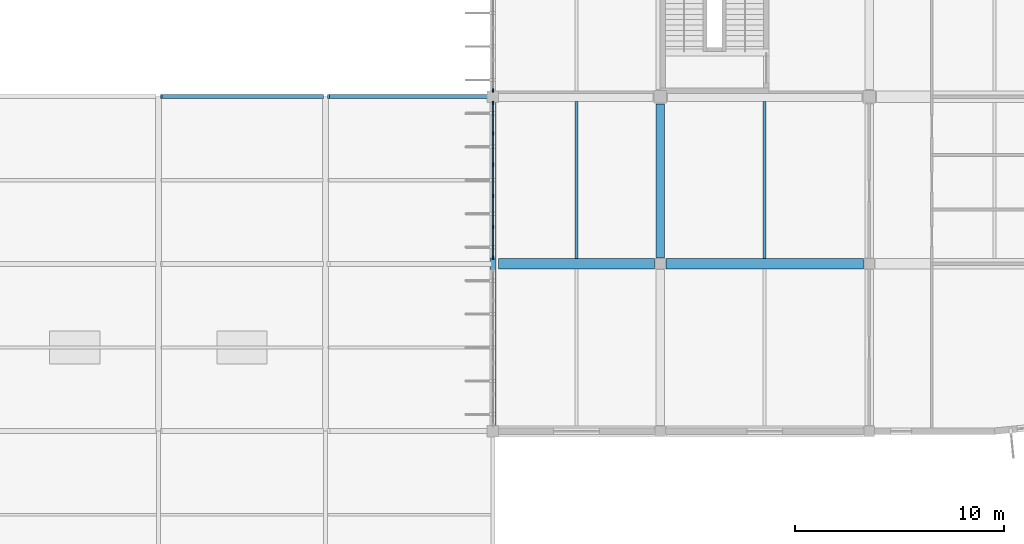
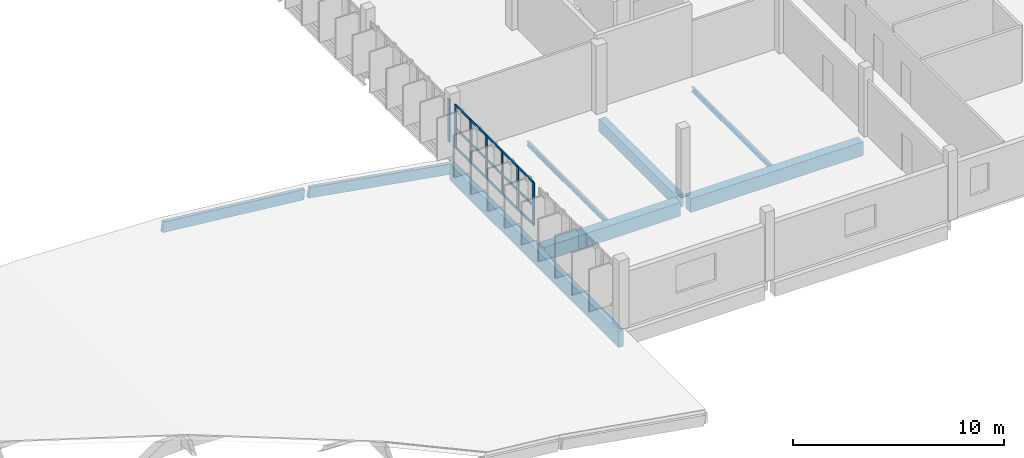
# One storey, part 26 of 66: 22 members, 8 beams, 2 elements without a shape of their own.
"""IFC4 building model written with IfcOpenShell, lengths in metres."""

from ifc_helpers import new_model, si_unit, direction, frame, origin, origin_2d, place, context, subcontext, project, spatial, rectangle, i_section, extrude, material, layer, layer_set, material_profile, profile_set, type_object, element, aggregate, save


model = new_model("IFC4")

# Units and contexts
model_context = context("Model", 3, precision=1e-05, world=origin(), true_north=direction((0.0, 1.0)))
body_context = subcontext(model_context, "Body", "Model", "MODEL_VIEW")
ifc_project = project(units=[si_unit("LENGTHUNIT", "METRE"), si_unit("AREAUNIT", "SQUARE_METRE"), si_unit("VOLUMEUNIT", "CUBIC_METRE"), si_unit("PLANEANGLEUNIT", "RADIAN"), si_unit("MASSUNIT", "GRAM", prefix="KILO")], contexts=[model_context])

# Site, building, storey
site_placement = place(None, origin())
site = spatial("IfcSite", under=ifc_project, at=site_placement, CompositionType="ELEMENT")
building_placement = place(site_placement, origin())
building = spatial("IfcBuilding", under=site, at=building_placement, Name="Drelvana Railside Aquatics Centre", CompositionType="ELEMENT")
storey_placement = place(building_placement, frame((0.0, 0.0, 10.199951171875)))
storey = spatial("IfcBuildingStorey", under=building, at=storey_placement, Name="L02", CompositionType="ELEMENT", Elevation=10.199951171875)

# Curtain wall, members
ifc_material_1 = material(Name="Bronze-anodised aluminium curtain wall", Category="aluminium")
ifc_layer = layer(ifc_material_1, 0.175048828125, Name="Bronze-anodised aluminium curtain wall")
ifc_layer_set = layer_set([ifc_layer], Name="Bronze-anodised aluminium curtain wall")
curtain_wall_type = type_object("IfcCurtainWallType", Name="CW-Z6-WING", PredefinedType="NOTDEFINED", material=ifc_layer_set)
curtain_wall_1_placement = place(storey_placement, origin())
curtain_wall_1 = element("IfcCurtainWall", 1, at=curtain_wall_1_placement, inside=storey, type_object=curtain_wall_type, Name="Curtain wall CW-06-136", PredefinedType="NOTDEFINED")
ifc_material_2 = material(Name="Bronze-anodised aluminium 6063-T6", Category="aluminium")
ifc_material_profile_1 = material_profile(ifc_material_2, rectangle(XDim=0.06494140625, YDim=0.175048828125, at=origin_2d()), Name="ALU-M 65x175")
ifc_profile_set_1 = profile_set([ifc_material_profile_1], Name="Bronze-anodised aluminium 6063-T6")
member_type_1 = type_object("IfcMemberType", Name="CW-Z6-WING-MUL", PredefinedType="MULLION", material=ifc_profile_set_1)
member_1_placement = place(storey_placement, frame((144.0, 16.301513671875, 0.7939453125), z_axis=(0.0, 0.0, 1.0), x_axis=(-1.0, 0.0, 0.0)))
member_1 = element("IfcMember", 2, at=member_1_placement, type_object=member_type_1, Name="CW-06 mullion 1", PredefinedType="MULLION", context=body_context, shape_type="SweptSolid", body=[
    extrude(rectangle(XDim=0.06494140625, YDim=0.175048828125, at=origin_2d()), origin(), (0.0, 0.0, 1.0), 2.506103515625),
])
member_2_placement = place(storey_placement, frame((144.0, 17.761474609375, 0.7939453125), z_axis=(0.0, 0.0, 1.0), x_axis=(-1.0, 0.0, 0.0)))
member_2 = element("IfcMember", 3, at=member_2_placement, type_object=member_type_1, Name="CW-06 mullion 2", PredefinedType="MULLION", context=body_context, shape_type="SweptSolid", body=[
    extrude(rectangle(XDim=0.06494140625, YDim=0.175048828125, at=origin_2d()), origin(), (0.0, 0.0, 1.0), 2.506103515625),
])
member_3_placement = place(storey_placement, frame((144.0, 19.25390625, 0.7939453125), z_axis=(0.0, 0.0, 1.0), x_axis=(-1.0, 0.0, 0.0)))
member_3 = element("IfcMember", 4, at=member_3_placement, type_object=member_type_1, Name="CW-06 mullion 3", PredefinedType="MULLION", context=body_context, shape_type="SweptSolid", body=[
    extrude(rectangle(XDim=0.06494140625, YDim=0.175048828125, at=origin_2d()), origin(), (0.0, 0.0, 1.0), 2.506103515625),
])
member_4_placement = place(storey_placement, frame((144.0, 20.74609375, 0.7939453125), z_axis=(0.0, 0.0, 1.0), x_axis=(-1.0, 0.0, 0.0)))
member_4 = element("IfcMember", 5, at=member_4_placement, type_object=member_type_1, Name="CW-06 mullion 4", PredefinedType="MULLION", context=body_context, shape_type="SweptSolid", body=[
    extrude(rectangle(XDim=0.06494140625, YDim=0.175048828125, at=origin_2d()), origin(), (0.0, 0.0, 1.0), 2.506103515625),
])
member_5_placement = place(storey_placement, frame((144.0, 22.238525390625, 0.7939453125), z_axis=(0.0, 0.0, 1.0), x_axis=(-1.0, 0.0, 0.0)))
member_5 = element("IfcMember", 6, at=member_5_placement, type_object=member_type_1, Name="CW-06 mullion 5", PredefinedType="MULLION", context=body_context, shape_type="SweptSolid", body=[
    extrude(rectangle(XDim=0.06494140625, YDim=0.175048828125, at=origin_2d()), origin(), (0.0, 0.0, 1.0), 2.506103515625),
])
member_6_placement = place(storey_placement, frame((144.0, 23.698486328125, 0.7939453125), z_axis=(0.0, 0.0, 1.0), x_axis=(-1.0, 0.0, 0.0)))
member_6 = element("IfcMember", 7, at=member_6_placement, type_object=member_type_1, Name="CW-06 mullion 6", PredefinedType="MULLION", context=body_context, shape_type="SweptSolid", body=[
    extrude(rectangle(XDim=0.06494140625, YDim=0.175048828125, at=origin_2d()), origin(), (0.0, 0.0, 1.0), 2.506103515625),
])

# Curtain wall, member
curtain_wall_2_placement = place(storey_placement, origin())
curtain_wall_2 = element("IfcCurtainWall", 8, at=curtain_wall_2_placement, inside=storey, type_object=curtain_wall_type, Name="Curtain wall CW-06-138", PredefinedType="NOTDEFINED")
member_7_placement = place(storey_placement, frame((144.0, 24.301513671875, 0.7939453125), z_axis=(0.0, 0.0, 1.0), x_axis=(-1.0, 0.0, 0.0)))
member_7 = element("IfcMember", 9, at=member_7_placement, type_object=member_type_1, Name="CW-06 mullion 1", PredefinedType="MULLION", context=body_context, shape_type="SweptSolid", body=[
    extrude(rectangle(XDim=0.06494140625, YDim=0.175048828125, at=origin_2d()), origin(), (0.0, 0.0, 1.0), 2.4560546875),
])
aggregate(curtain_wall_2, [member_7])

# Member
ifc_material_profile_2 = material_profile(ifc_material_2, rectangle(XDim=0.1201171875, YDim=0.06005859375, at=origin_2d()), Name="ALU-T 60x120")
ifc_profile_set_2 = profile_set([ifc_material_profile_2], Name="Bronze-anodised aluminium 6063-T6")
member_type_2 = type_object("IfcMemberType", Name="CW-Z6-WING-TRN", PredefinedType="USERDEFINED", material=ifc_profile_set_2)
member_8_placement = place(storey_placement, frame((144.0, 16.3291015625, 0.823974609375), z_axis=(0.0, 1.0, 0.0), x_axis=(0.0, 0.0, 1.0)))
member_8 = element("IfcMember", 10, at=member_8_placement, type_object=member_type_2, Name="CW-06 transom 1.1", ObjectType="TRANSOM", PredefinedType="USERDEFINED", context=body_context, shape_type="SweptSolid", body=[
    extrude(rectangle(XDim=0.1201171875, YDim=0.06005859375, at=origin_2d()), origin(), (0.0, 0.0, 1.0), 1.40478515625),
])

member_9_placement = place(storey_placement, frame((144.0, 16.3291015625, 1.922119140625), z_axis=(0.0, 1.0, 0.0), x_axis=(0.0, 0.0, 1.0)))
member_9 = element("IfcMember", 11, at=member_9_placement, type_object=member_type_2, Name="CW-06 transom 1.2", ObjectType="TRANSOM", PredefinedType="USERDEFINED", context=body_context, shape_type="SweptSolid", body=[
    extrude(rectangle(XDim=0.1201171875, YDim=0.06005859375, at=origin_2d()), origin(), (0.0, 0.0, 1.0), 1.40478515625),
])

member_10_placement = place(storey_placement, frame((144.0, 16.3291015625, 3.27001953125), z_axis=(0.0, 1.0, 0.0), x_axis=(0.0, 0.0, 1.0)))
member_10 = element("IfcMember", 12, at=member_10_placement, type_object=member_type_2, Name="CW-06 transom 1.3", ObjectType="TRANSOM", PredefinedType="USERDEFINED", context=body_context, shape_type="SweptSolid", body=[
    extrude(rectangle(XDim=0.1201171875, YDim=0.06005859375, at=origin_2d()), origin(), (0.0, 0.0, 1.0), 1.40478515625),
])

member_11_placement = place(storey_placement, frame((144.0, 17.788818359375, 0.823974609375), z_axis=(0.0, 1.0, 0.0), x_axis=(0.0, 0.0, 1.0)))
member_11 = element("IfcMember", 13, at=member_11_placement, type_object=member_type_2, Name="CW-06 transom 2.1", ObjectType="TRANSOM", PredefinedType="USERDEFINED", context=body_context, shape_type="SweptSolid", body=[
    extrude(rectangle(XDim=0.1201171875, YDim=0.06005859375, at=origin_2d()), origin(), (0.0, 0.0, 1.0), 1.4375),
])

member_12_placement = place(storey_placement, frame((144.0, 17.788818359375, 1.922119140625), z_axis=(0.0, 1.0, 0.0), x_axis=(0.0, 0.0, 1.0)))
member_12 = element("IfcMember", 14, at=member_12_placement, type_object=member_type_2, Name="CW-06 transom 2.2", ObjectType="TRANSOM", PredefinedType="USERDEFINED", context=body_context, shape_type="SweptSolid", body=[
    extrude(rectangle(XDim=0.1201171875, YDim=0.06005859375, at=origin_2d()), origin(), (0.0, 0.0, 1.0), 1.4375),
])

member_13_placement = place(storey_placement, frame((144.0, 17.788818359375, 3.27001953125), z_axis=(0.0, 1.0, 0.0), x_axis=(0.0, 0.0, 1.0)))
member_13 = element("IfcMember", 15, at=member_13_placement, type_object=member_type_2, Name="CW-06 transom 2.3", ObjectType="TRANSOM", PredefinedType="USERDEFINED", context=body_context, shape_type="SweptSolid", body=[
    extrude(rectangle(XDim=0.1201171875, YDim=0.06005859375, at=origin_2d()), origin(), (0.0, 0.0, 1.0), 1.4375),
])

member_14_placement = place(storey_placement, frame((144.0, 19.28125, 0.823974609375), z_axis=(0.0, 1.0, 0.0), x_axis=(0.0, 0.0, 1.0)))
member_14 = element("IfcMember", 16, at=member_14_placement, type_object=member_type_2, Name="CW-06 transom 3.1", ObjectType="TRANSOM", PredefinedType="USERDEFINED", context=body_context, shape_type="SweptSolid", body=[
    extrude(rectangle(XDim=0.1201171875, YDim=0.06005859375, at=origin_2d()), origin(), (0.0, 0.0, 1.0), 1.4375),
])

member_15_placement = place(storey_placement, frame((144.0, 19.28125, 1.922119140625), z_axis=(0.0, 1.0, 0.0), x_axis=(0.0, 0.0, 1.0)))
member_15 = element("IfcMember", 17, at=member_15_placement, type_object=member_type_2, Name="CW-06 transom 3.2", ObjectType="TRANSOM", PredefinedType="USERDEFINED", context=body_context, shape_type="SweptSolid", body=[
    extrude(rectangle(XDim=0.1201171875, YDim=0.06005859375, at=origin_2d()), origin(), (0.0, 0.0, 1.0), 1.4375),
])

member_16_placement = place(storey_placement, frame((144.0, 19.28125, 3.27001953125), z_axis=(0.0, 1.0, 0.0), x_axis=(0.0, 0.0, 1.0)))
member_16 = element("IfcMember", 18, at=member_16_placement, type_object=member_type_2, Name="CW-06 transom 3.3", ObjectType="TRANSOM", PredefinedType="USERDEFINED", context=body_context, shape_type="SweptSolid", body=[
    extrude(rectangle(XDim=0.1201171875, YDim=0.06005859375, at=origin_2d()), origin(), (0.0, 0.0, 1.0), 1.4375),
])

member_17_placement = place(storey_placement, frame((144.0, 20.773681640625, 0.823974609375), z_axis=(0.0, 1.0, 0.0), x_axis=(0.0, 0.0, 1.0)))
member_17 = element("IfcMember", 19, at=member_17_placement, type_object=member_type_2, Name="CW-06 transom 4.1", ObjectType="TRANSOM", PredefinedType="USERDEFINED", context=body_context, shape_type="SweptSolid", body=[
    extrude(rectangle(XDim=0.1201171875, YDim=0.06005859375, at=origin_2d()), origin(), (0.0, 0.0, 1.0), 1.4375),
])

member_18_placement = place(storey_placement, frame((144.0, 20.773681640625, 1.922119140625), z_axis=(0.0, 1.0, 0.0), x_axis=(0.0, 0.0, 1.0)))
member_18 = element("IfcMember", 20, at=member_18_placement, type_object=member_type_2, Name="CW-06 transom 4.2", ObjectType="TRANSOM", PredefinedType="USERDEFINED", context=body_context, shape_type="SweptSolid", body=[
    extrude(rectangle(XDim=0.1201171875, YDim=0.06005859375, at=origin_2d()), origin(), (0.0, 0.0, 1.0), 1.4375),
])

member_19_placement = place(storey_placement, frame((144.0, 20.773681640625, 3.27001953125), z_axis=(0.0, 1.0, 0.0), x_axis=(0.0, 0.0, 1.0)))
member_19 = element("IfcMember", 21, at=member_19_placement, type_object=member_type_2, Name="CW-06 transom 4.3", ObjectType="TRANSOM", PredefinedType="USERDEFINED", context=body_context, shape_type="SweptSolid", body=[
    extrude(rectangle(XDim=0.1201171875, YDim=0.06005859375, at=origin_2d()), origin(), (0.0, 0.0, 1.0), 1.4375),
])

member_20_placement = place(storey_placement, frame((144.0, 22.26611328125, 0.823974609375), z_axis=(0.0, 1.0, 0.0), x_axis=(0.0, 0.0, 1.0)))
member_20 = element("IfcMember", 22, at=member_20_placement, type_object=member_type_2, Name="CW-06 transom 5.1", ObjectType="TRANSOM", PredefinedType="USERDEFINED", context=body_context, shape_type="SweptSolid", body=[
    extrude(rectangle(XDim=0.1201171875, YDim=0.06005859375, at=origin_2d()), origin(), (0.0, 0.0, 1.0), 1.40478515625),
])

member_21_placement = place(storey_placement, frame((144.0, 22.26611328125, 1.922119140625), z_axis=(0.0, 1.0, 0.0), x_axis=(0.0, 0.0, 1.0)))
member_21 = element("IfcMember", 23, at=member_21_placement, type_object=member_type_2, Name="CW-06 transom 5.2", ObjectType="TRANSOM", PredefinedType="USERDEFINED", context=body_context, shape_type="SweptSolid", body=[
    extrude(rectangle(XDim=0.1201171875, YDim=0.06005859375, at=origin_2d()), origin(), (0.0, 0.0, 1.0), 1.40478515625),
])

member_22_placement = place(storey_placement, frame((144.0, 22.26611328125, 3.27001953125), z_axis=(0.0, 1.0, 0.0), x_axis=(0.0, 0.0, 1.0)))
member_22 = element("IfcMember", 24, at=member_22_placement, type_object=member_type_2, Name="CW-06 transom 5.3", ObjectType="TRANSOM", PredefinedType="USERDEFINED", context=body_context, shape_type="SweptSolid", body=[
    extrude(rectangle(XDim=0.1201171875, YDim=0.06005859375, at=origin_2d()), origin(), (0.0, 0.0, 1.0), 1.40478515625),
])

aggregate(curtain_wall_1, [member_1, member_2, member_3, member_4, member_5, member_6, member_8, member_9, member_10, member_11, member_12, member_13, member_14, member_15, member_16, member_17, member_18, member_19, member_20, member_21, member_22])

# Beams
ifc_material_3 = material(Name="Concrete C40/50", Category="concrete")
ifc_material_profile_3 = material_profile(ifc_material_3, rectangle(XDim=0.39990234375, YDim=0.699951171875, at=origin_2d()), Name="RC 400x700")
ifc_profile_set_3 = profile_set([ifc_material_profile_3], Name="Concrete C40/50")
beam_type_1 = type_object("IfcBeamType", Name="STR-BM-BM-03-RC-400x700", PredefinedType="BEAM", material=ifc_profile_set_3)
beam_1_placement = place(storey_placement, frame((152.0, 16.27490234375, -0.599853515625), z_axis=(0.0, 1.0, 0.0), x_axis=(-1.0, 0.0, 0.0)))
element("IfcBeam", 25, at=beam_1_placement, inside=storey, type_object=beam_type_1, Name="Girder BM-03 (L02)", PredefinedType="BEAM", context=body_context, shape_type="SweptSolid", body=[
    extrude(rectangle(XDim=0.39990234375, YDim=0.699951171875, at=origin_2d()), origin(), (0.0, 0.0, 1.0), 7.375),
])
ifc_material_profile_4 = material_profile(ifc_material_3, rectangle(XDim=0.5, YDim=0.800048828125, at=origin_2d()), Name="RC 500x800")
ifc_profile_set_4 = profile_set([ifc_material_profile_4], Name="Concrete C40/50")
beam_type_2 = type_object("IfcBeamType", Name="STR-BM-BM-06-RC-500x800", PredefinedType="SPANDREL", material=ifc_profile_set_4)
beam_2_placement = place(storey_placement, frame((144.27490234375, 16.0, -0.64990234375), z_axis=(1.0, 0.0, 0.0), x_axis=(0.0, 1.0, 0.0)))
element("IfcBeam", 26, at=beam_2_placement, inside=storey, type_object=beam_type_2, Name="Girder BM-06 (L02)", PredefinedType="SPANDREL", context=body_context, shape_type="SweptSolid", body=[
    extrude(rectangle(XDim=0.5, YDim=0.800048828125, at=origin_2d()), origin(), (0.0, 0.0, 1.0), 7.4501953125),
])
beam_3_placement = place(storey_placement, frame((152.27490234375, 16.0, -0.64990234375), z_axis=(1.0, 0.0, 0.0), x_axis=(0.0, 1.0, 0.0)))
element("IfcBeam", 27, at=beam_3_placement, inside=storey, type_object=beam_type_2, Name="Girder BM-06 (L02)", PredefinedType="SPANDREL", context=body_context, shape_type="SweptSolid", body=[
    extrude(rectangle(XDim=0.5, YDim=0.800048828125, at=origin_2d()), origin(), (0.0, 0.0, 1.0), 9.4501953125),
])
ifc_material_4 = material(Name="Glulam timber GL28h", Category="wood")
ifc_material_profile_5 = material_profile(ifc_material_4, rectangle(XDim=0.199951171875, YDim=0.60009765625, at=origin_2d()), Name="GL28h 200x600")
ifc_profile_set_5 = profile_set([ifc_material_profile_5], Name="Glulam timber GL28h")
beam_type_3 = type_object("IfcBeamType", Name="STR-GLB-GA-00", PredefinedType="BEAM", material=ifc_profile_set_5)
beam_4_placement = place(storey_placement, frame((128.135009765625, 24.0, 1.6083984375), z_axis=(0.994686581227, 0.0, -0.102949527089), x_axis=(0.0, 1.0, 0.0)))
element("IfcBeam", 28, at=beam_4_placement, inside=storey, type_object=beam_type_3, Name="Entrance Foyer vault arch Y24.5", PredefinedType="BEAM", context=body_context, shape_type="SweptSolid", body=[
    extrude(rectangle(XDim=0.199951171875, YDim=0.60009765625, at=origin_2d()), origin(), (0.0, 0.0, 1.0), 7.771240234375),
])
beam_5_placement = place(storey_placement, frame((136.135009765625, 24.0, 0.808349609375), z_axis=(0.985449511524, 0.0, -0.169968409527), x_axis=(0.0, 1.0, 0.0)))
element("IfcBeam", 29, at=beam_5_placement, inside=storey, type_object=beam_type_3, Name="Entrance Foyer vault arch Y24.6", PredefinedType="BEAM", context=body_context, shape_type="SweptSolid", body=[
    extrude(rectangle(XDim=0.199951171875, YDim=0.60009765625, at=origin_2d()), origin(), (0.0, 0.0, 1.0), 7.843994140625),
])
ifc_material_profile_6 = material_profile(ifc_material_4, rectangle(XDim=0.280029296875, YDim=0.9599609375, at=origin_2d()), Name="GL28h 280x960")
ifc_profile_set_6 = profile_set([ifc_material_profile_6], Name="Glulam timber GL28h")
beam_type_4 = type_object("IfcBeamType", Name="STR-GLB-GA-03", PredefinedType="BEAM", material=ifc_profile_set_6)
beam_6_placement = place(storey_placement, frame((144.0, 8.0, -0.72998046875), z_axis=(0.0, 1.0, 0.0), x_axis=(-1.0, 0.0, 0.0)))
element("IfcBeam", 30, at=beam_6_placement, inside=storey, type_object=beam_type_4, Name="Entrance Foyer vault portal beam X144-N", PredefinedType="BEAM", context=body_context, shape_type="SweptSolid", body=[
    extrude(rectangle(XDim=0.280029296875, YDim=0.9599609375, at=origin_2d()), origin(), (0.0, 0.0, 1.0), 16.0),
])
ifc_material_5 = material(Name="Structural steel S355", Category="steel")
ifc_material_profile_7 = material_profile(ifc_material_5, i_section(OverallWidth=0.135009765625, OverallDepth=0.27001953125, WebThickness=0.006591796875, FlangeThickness=0.01025390625, at=origin_2d()), Name="IPE 270")
ifc_profile_set_7 = profile_set([ifc_material_profile_7], Name="Structural steel S355")
beam_type_5 = type_object("IfcBeamType", Name="STR-SBM-SJ-02-IPE-270", PredefinedType="JOIST", material=ifc_profile_set_7)
for number, where, z_axis, x_axis, name in (
    (31, (148.0, 16.25, -0.385009765625), (0.0, 1.0, 0.0), (-1.0, 0.0, 0.0), "Secondary floor joist SJ-02 (L02)"),
    (32, (157.0, 16.25, -0.385009765625), (0.0, 1.0, 0.0), (-1.0, 0.0, 0.0), "Secondary floor joist SJ-02 (L02)"),
):
    element("IfcBeam", number, at=place(storey_placement, frame(where, z_axis=z_axis, x_axis=x_axis)), inside=storey, type_object=beam_type_5, Name=name, PredefinedType="JOIST", context=body_context, shape_type="SweptSolid", body=[
        extrude(i_section(OverallWidth=0.135009765625, OverallDepth=0.27001953125, WebThickness=0.006591796875, FlangeThickness=0.01025390625, at=origin_2d()), origin(), (0.0, 0.0, 1.0), 7.52490234375),
    ])

save(model, "model.ifc")
